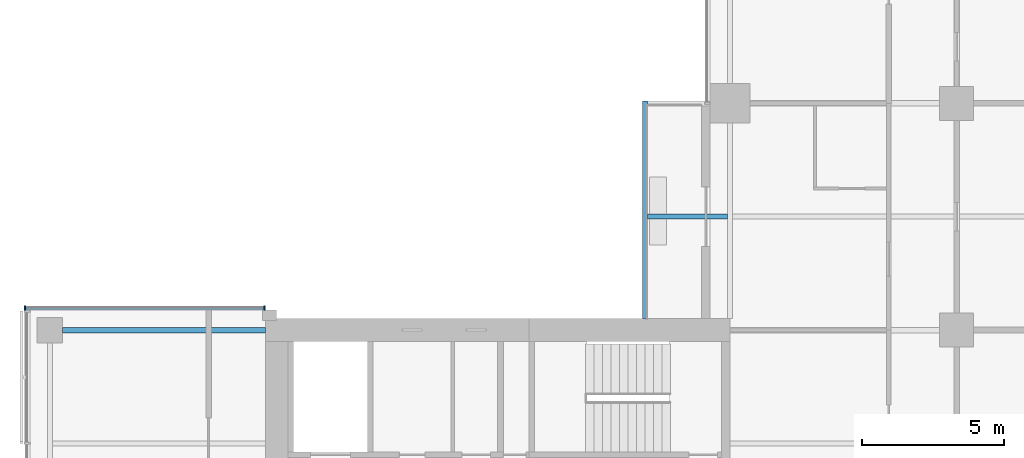
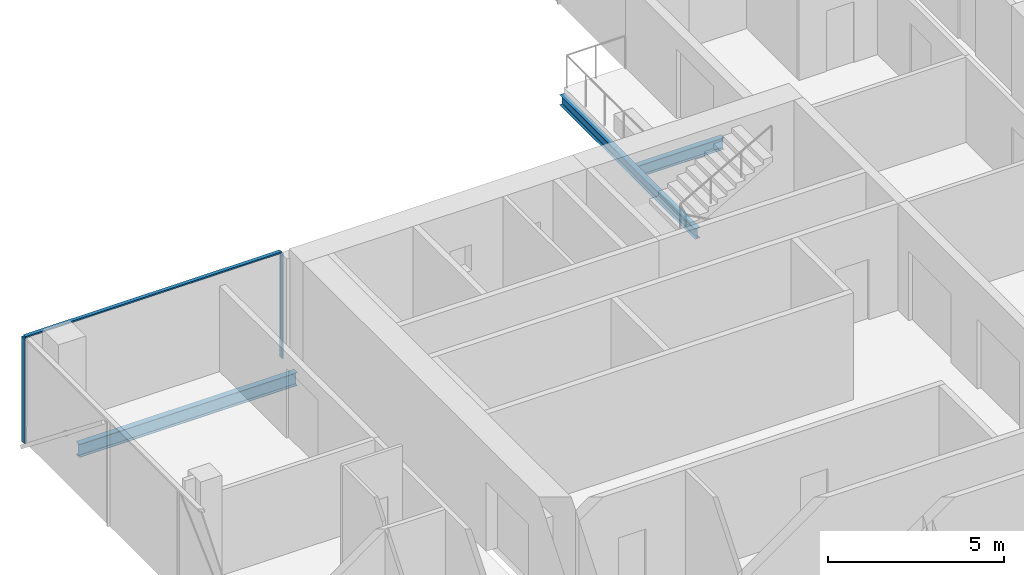
# One storey, part 8 of 27: 3 beams, 3 members, 1 element without a shape of its own.
"""IFC4 building model written with IfcOpenShell, lengths in metres."""

from ifc_helpers import new_model, si_unit, direction, frame, origin, origin_2d, place, context, subcontext, project, spatial, rectangle, i_section, extrude, material, material_profile, profile_set, type_object, element, aggregate, save


model = new_model("IFC4")

# Units and contexts
model_context = context("Model", 3, precision=1e-05, world=origin(), true_north=direction((0.0, 1.0)))
body_context = subcontext(model_context, "Body", "Model", "MODEL_VIEW")
ifc_project = project(units=[si_unit("LENGTHUNIT", "METRE"), si_unit("AREAUNIT", "SQUARE_METRE"), si_unit("VOLUMEUNIT", "CUBIC_METRE"), si_unit("PLANEANGLEUNIT", "RADIAN"), si_unit("MASSUNIT", "GRAM", prefix="KILO")], contexts=[model_context])

# Site, building, storey
site_placement = place(None, origin())
site = spatial("IfcSite", under=ifc_project, at=site_placement, CompositionType="ELEMENT")
building_placement = place(site_placement, origin())
building = spatial("IfcBuilding", under=site, at=building_placement, Name="Crosswind Convention Tower", CompositionType="ELEMENT")
storey_placement = place(building_placement, frame((0.0, 0.0, 75.699951171875)))
storey = spatial("IfcBuildingStorey", under=building, at=storey_placement, Name="L13", CompositionType="ELEMENT", Elevation=75.699951171875)

# Beams
ifc_material_1 = material(Name="Steel S355", Category="steel")
ifc_material_profile_1 = material_profile(ifc_material_1, i_section(OverallWidth=0.177734375, OverallDepth=0.406494140625, WebThickness=0.0078125, FlangeThickness=0.0126953125, FilletRadius=0.01025390625, at=origin_2d()), Name="UB 406x178x60")
ifc_profile_set_1 = profile_set([ifc_material_profile_1], Name="Steel S355")
beam_type_1 = type_object("IfcBeamType", Name="Balcony cantilever UB 406x178x60", PredefinedType="BEAM", material=ifc_profile_set_1)
beam_1_placement = place(storey_placement, frame((112.90478515625, 116.0, -0.483154296875), z_axis=(-1.0, 0.0, 0.0), x_axis=(0.0, -1.0, 0.0)))
element("IfcBeam", 1, at=beam_1_placement, inside=storey, type_object=beam_type_1, Name="B35 L13 balcony cantilever NW 4", PredefinedType="BEAM", context=body_context, shape_type="SweptSolid", body=[
    extrude(i_section(OverallWidth=0.177734375, OverallDepth=0.406494140625, WebThickness=0.0078125, FlangeThickness=0.0126953125, FilletRadius=0.01025390625, at=origin_2d()), origin(), (0.0, 0.0, 1.0), 2.8193359375),
])
ifc_material_profile_2 = material_profile(ifc_material_1, i_section(OverallWidth=0.1708984375, OverallDepth=0.35205078125, WebThickness=0.0068359375, FlangeThickness=0.009765625, FilletRadius=0.01025390625, at=origin_2d()), Name="UB 356x171x45")
ifc_profile_set_2 = profile_set([ifc_material_profile_2], Name="Steel S355")
beam_type_2 = type_object("IfcBeamType", Name="Balcony edge beam UB 356x171x45", PredefinedType="BEAM", material=ifc_profile_set_2)
beam_2_placement = place(storey_placement, frame((110.0, 112.39990234375, -0.4560546875), z_axis=(0.0, 1.0, 0.0), x_axis=(-1.0, 0.0, 0.0)))
element("IfcBeam", 2, at=beam_2_placement, inside=storey, type_object=beam_type_2, Name="B37 L13 balcony edge beam NW 6", PredefinedType="BEAM", context=body_context, shape_type="SweptSolid", body=[
    extrude(i_section(OverallWidth=0.1708984375, OverallDepth=0.35205078125, WebThickness=0.0068359375, FlangeThickness=0.009765625, FilletRadius=0.01025390625, at=origin_2d()), origin(), (0.0, 0.0, 1.0), 7.68896484375),
])
ifc_material_profile_3 = material_profile(ifc_material_1, i_section(OverallWidth=0.1904296875, OverallDepth=0.457275390625, WebThickness=0.009033203125, FlangeThickness=0.014404296875, FilletRadius=0.01025390625, at=origin_2d()), Name="UB 457x191x75")
ifc_profile_set_3 = profile_set([ifc_material_profile_3], Name="Steel S355")
beam_type_3 = type_object("IfcBeamType", Name="Edge beam UB 457x191x75", PredefinedType="SPANDREL", material=ifc_profile_set_3)
beam_3_placement = place(storey_placement, frame((89.449951171875, 112.0, -0.508544921875), z_axis=(1.0, 0.0, 0.0), x_axis=(0.0, 1.0, 0.0)))
element("IfcBeam", 3, at=beam_3_placement, inside=storey, type_object=beam_type_3, Name="B17 L13 edge beam 5", PredefinedType="SPANDREL", context=body_context, shape_type="SweptSolid", body=[
    extrude(i_section(OverallWidth=0.1904296875, OverallDepth=0.457275390625, WebThickness=0.009033203125, FlangeThickness=0.014404296875, FilletRadius=0.01025390625, at=origin_2d()), origin(), (0.0, 0.0, 1.0), 7.150146484375),
])

# Curtain wall, members
ifc_material_2 = material(Name="Aluminium unitised curtain wall", Category="aluminium")
curtain_wall_type = type_object("IfcCurtainWallType", Name="CORE END SLOT WALL 160", PredefinedType="USERDEFINED", material=ifc_material_2)
curtain_wall_placement = place(storey_placement, origin())
curtain_wall = element("IfcCurtainWall", 4, at=curtain_wall_placement, inside=storey, type_object=curtain_wall_type, Name="CW6 L13 W-N.2-1 slot", ObjectType="UNITISED", PredefinedType="USERDEFINED")
ifc_material_3 = material(Name="Aluminium mullion", Category="aluminium")
ifc_material_profile_4 = material_profile(ifc_material_3, rectangle(XDim=0.159912109375, YDim=0.050048828125, at=origin_2d()), Name="AL 160X50")
ifc_profile_set_4 = profile_set([ifc_material_profile_4], Name="Aluminium mullion")
member_type_1 = type_object("IfcMemberType", Name="MULLION 50X160", PredefinedType="MULLION", material=ifc_profile_set_4)
member_1_placement = place(storey_placement, frame((96.574951171875, 112.780029296875, -0.280029296875), z_axis=(0.0, 0.0, 1.0), x_axis=(0.0, 1.0, 0.0)))
member_1 = element("IfcMember", 5, at=member_1_placement, type_object=member_type_1, Name="CW6 mullion 1", PredefinedType="MULLION", context=body_context, shape_type="SweptSolid", body=[
    extrude(rectangle(XDim=0.159912109375, YDim=0.050048828125, at=origin_2d()), origin(), (0.0, 0.0, 1.0), 3.650146484375),
])
member_2_placement = place(storey_placement, frame((88.125, 112.780029296875, -0.280029296875), z_axis=(0.0, 0.0, 1.0), x_axis=(0.0, 1.0, 0.0)))
member_2 = element("IfcMember", 6, at=member_2_placement, type_object=member_type_1, Name="CW6 mullion 2", PredefinedType="MULLION", context=body_context, shape_type="SweptSolid", body=[
    extrude(rectangle(XDim=0.159912109375, YDim=0.050048828125, at=origin_2d()), origin(), (0.0, 0.0, 1.0), 3.650146484375),
])
ifc_material_4 = material(Name="Aluminium transom", Category="aluminium")
ifc_material_profile_5 = material_profile(ifc_material_4, rectangle(XDim=0.1201171875, YDim=0.050048828125, at=origin_2d()), Name="AL 120X50")
ifc_profile_set_5 = profile_set([ifc_material_profile_5], Name="Aluminium transom")
member_type_2 = type_object("IfcMemberType", Name="TRANSOM 50X120", PredefinedType="USERDEFINED", material=ifc_profile_set_5)
member_3_placement = place(storey_placement, frame((96.550048828125, 112.780029296875, 3.39501953125), z_axis=(-1.0, 0.0, 0.0), x_axis=(0.0, -1.0, 0.0)))
member_3 = element("IfcMember", 7, at=member_3_placement, type_object=member_type_2, Name="CW6 transom", ObjectType="TRANSOM", PredefinedType="USERDEFINED", context=body_context, shape_type="SweptSolid", body=[
    extrude(rectangle(XDim=0.1201171875, YDim=0.050048828125, at=origin_2d()), origin(), (0.0, 0.0, 1.0), 8.400146484375),
])
aggregate(curtain_wall, [member_1, member_2, member_3])

save(model, "model.ifc")
